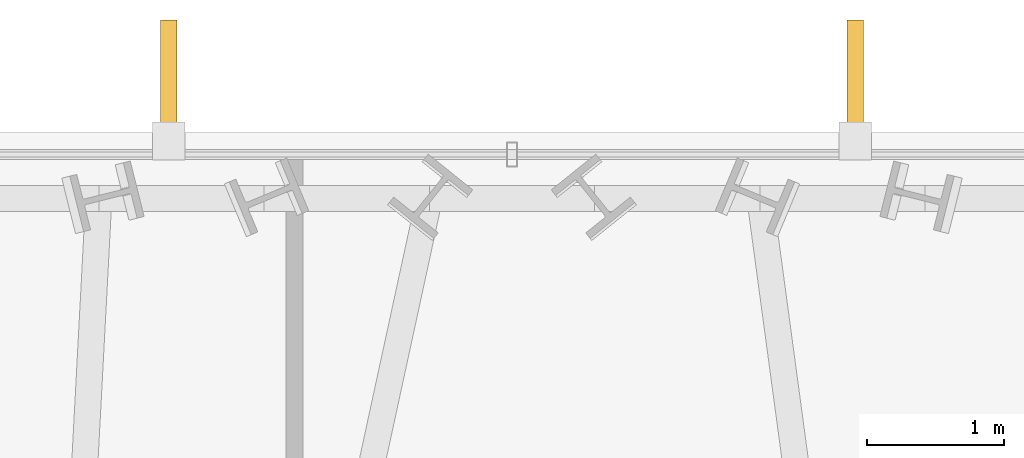
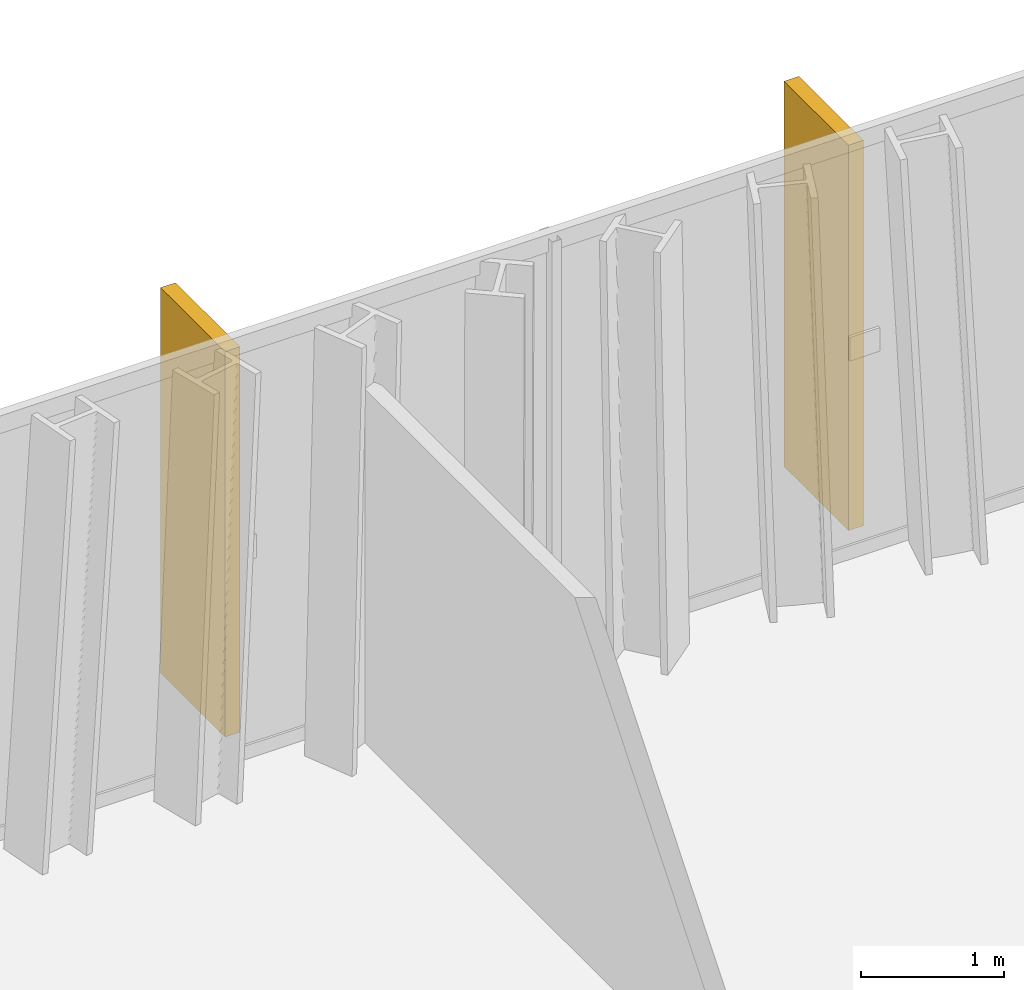
# One storey, part 35 of 35: 2 shading devices.
"""IFC4 building model written with IfcOpenShell, lengths in metres."""

from ifc_helpers import new_model, si_unit, direction, frame, origin, origin_2d, place, context, subcontext, project, spatial, rectangle, extrude, material, type_object, element, save


model = new_model("IFC4")

# Units and contexts
model_context = context("Model", 3, precision=1e-05, world=origin(), true_north=direction((0.0, 1.0)))
body_context = subcontext(model_context, "Body", "Model", "MODEL_VIEW")
ifc_project = project(units=[si_unit("LENGTHUNIT", "METRE"), si_unit("AREAUNIT", "SQUARE_METRE"), si_unit("VOLUMEUNIT", "CUBIC_METRE"), si_unit("PLANEANGLEUNIT", "RADIAN"), si_unit("MASSUNIT", "GRAM", prefix="KILO")], contexts=[model_context])

# Site, building, storey
site_placement = place(None, origin())
site = spatial("IfcSite", under=ifc_project, at=site_placement, CompositionType="ELEMENT")
building_placement = place(site_placement, origin())
building = spatial("IfcBuilding", under=site, at=building_placement, Name="Ndaravel Arena Tower", CompositionType="ELEMENT")
storey_placement = place(building_placement, frame((0.0, 0.0, 180.199951171875)))
storey = spatial("IfcBuildingStorey", under=building, at=storey_placement, Name="L43", CompositionType="ELEMENT", Elevation=180.199951171875)

# Shading devices
ifc_material = material(Name="Masonry", Category="masonry")
shading_device_type = type_object("IfcShadingDeviceType", Name="SHD-MAZERAS-FIN", PredefinedType="SHUTTER", material=ifc_material)
for number, where, z_axis, x_axis, name in (
    (1, (44.509521484375, 46.7822265625, 0.14990234375), (0.0, 0.0, 1.0), (0.0, 1.0, 0.0), "L43 Mazeras Stone Solar Fin E4.1"),
    (2, (39.490478515625, 46.7822265625, 0.14990234375), (0.0, 0.0, 1.0), (0.0, 1.0, 0.0), "L43 Mazeras Stone Solar Fin E4.2"),
):
    element("IfcShadingDevice", number, at=place(storey_placement, frame(where, z_axis=z_axis, x_axis=x_axis)), inside=storey, type_object=shading_device_type, Name=name, PredefinedType="SHUTTER", context=body_context, shape_type="SweptSolid", body=[
        extrude(rectangle(XDim=0.89990234375, YDim=0.1201171875, at=origin_2d()), origin(), (0.0, 0.0, 1.0), 3.280029296875),
    ])

save(model, "model.ifc")
